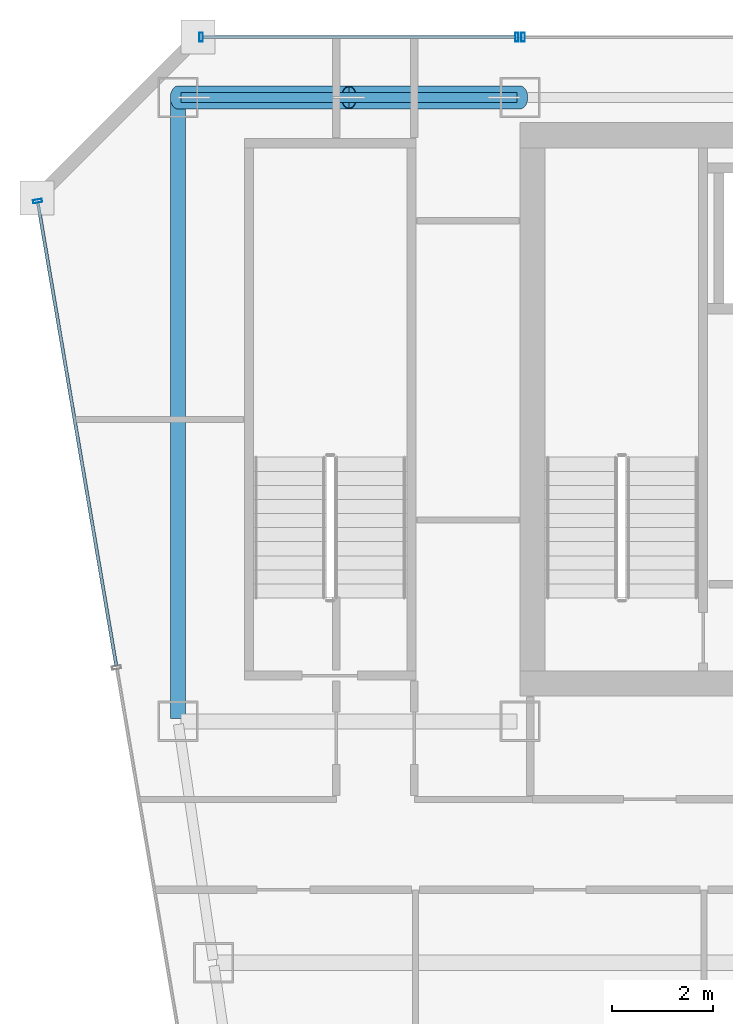
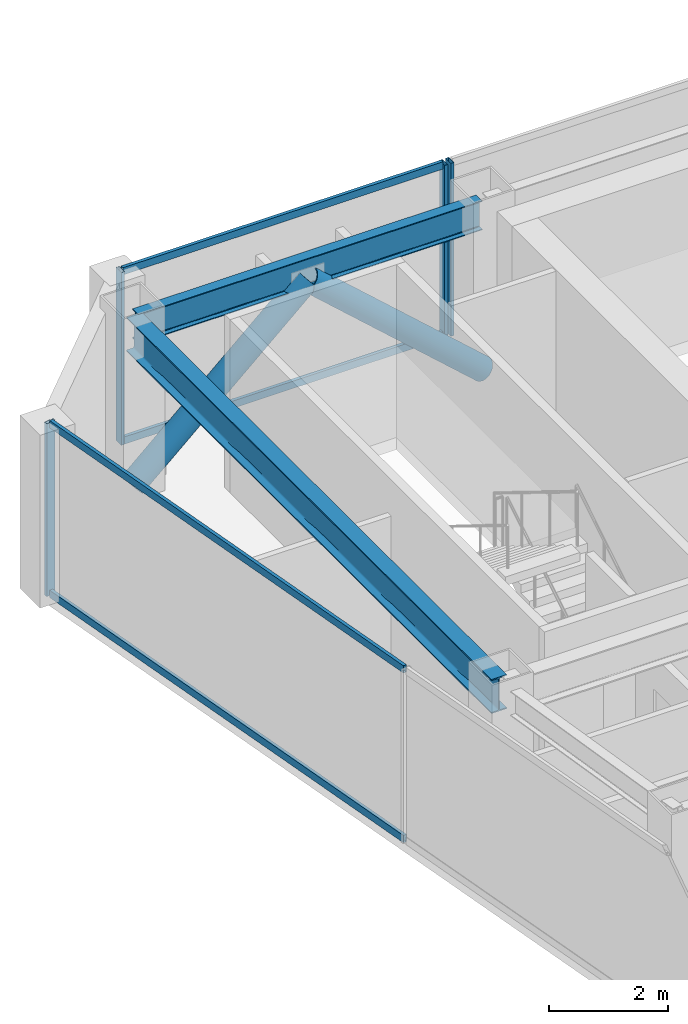
# One storey, part 23 of 36: 10 members, 2 beams, 3 elements without a shape of their own.
"""IFC4 building model written with IfcOpenShell, lengths in metres."""

from ifc_helpers import new_model, si_unit, direction, frame, origin, origin_2d, place, context, subcontext, project, spatial, hollow_rectangle, hollow_circle, i_section, extrude, material, material_profile, profile_set, type_object, element, aggregate, save


model = new_model("IFC4")

# Units and contexts
model_context = context("Model", 3, precision=1e-05, world=origin(), true_north=direction((0.0, 1.0)))
body_context = subcontext(model_context, "Body", "Model", "MODEL_VIEW")
ifc_project = project(units=[si_unit("LENGTHUNIT", "METRE"), si_unit("AREAUNIT", "SQUARE_METRE"), si_unit("VOLUMEUNIT", "CUBIC_METRE"), si_unit("PLANEANGLEUNIT", "RADIAN"), si_unit("MASSUNIT", "GRAM", prefix="KILO")], contexts=[model_context])

# Site, building, storey
site_placement = place(None, origin())
site = spatial("IfcSite", under=ifc_project, at=site_placement, CompositionType="ELEMENT")
building_placement = place(site_placement, origin())
building = spatial("IfcBuilding", under=site, at=building_placement, Name="Saevonmaru Cultural Tower", CompositionType="ELEMENT")
storey_placement = place(building_placement, frame((0.0, 0.0, 201.800048828125)))
storey = spatial("IfcBuildingStorey", under=building, at=storey_placement, Name="L46", CompositionType="ELEMENT", Elevation=201.800048828125)

# Beams
ifc_material_1 = material(Name="Steel SM355", Category="steel")
ifc_material_profile_1 = material_profile(ifc_material_1, i_section(OverallWidth=0.300048828125, OverallDepth=0.699951171875, WebThickness=0.012939453125, FlangeThickness=0.02392578125, FilletRadius=0.02587890625, at=origin_2d()), Name="H-700x300x13x24")
ifc_profile_set_1 = profile_set([ifc_material_profile_1], Name="Steel SM355")
beam_type_1 = type_object("IfcBeamType", Name="BM-G-H700", PredefinedType="BEAM", material=ifc_profile_set_1)
beam_1_placement = place(storey_placement, frame((6.800048828125, 54.739990234375, 3.199951171875), z_axis=(0.0, -1.0, 0.0), x_axis=(1.0, 0.0, 0.0)))
element("IfcBeam", 1, at=beam_1_placement, inside=storey, type_object=beam_type_1, Name="L46 Spine Transverse Girder W", PredefinedType="BEAM", context=body_context, shape_type="SweptSolid", body=[
    extrude(i_section(OverallWidth=0.300048828125, OverallDepth=0.699951171875, WebThickness=0.012939453125, FlangeThickness=0.02392578125, FilletRadius=0.02587890625, at=origin_2d()), origin(), (0.0, 0.0, 1.0), 12.280029296875),
])
ifc_material_profile_2 = material_profile(ifc_material_1, i_section(OverallWidth=0.199951171875, OverallDepth=0.60009765625, WebThickness=0.010986328125, FlangeThickness=0.01708984375, FilletRadius=0.02197265625, at=origin_2d()), Name="H-600x200x11x17")
ifc_profile_set_2 = profile_set([ifc_material_profile_2], Name="Steel SM355")
beam_type_2 = type_object("IfcBeamType", Name="BM-SP-H600", PredefinedType="SPANDREL", material=ifc_profile_set_2)
beam_2_placement = place(storey_placement, frame((6.860107421875, 54.800048828125, 3.25), z_axis=(1.0, 0.0, 0.0), x_axis=(0.0, 1.0, 0.0)))
element("IfcBeam", 2, at=beam_2_placement, inside=storey, type_object=beam_type_2, Name="L46 North Spine Girder 1", PredefinedType="SPANDREL", context=body_context, shape_type="SweptSolid", body=[
    extrude(i_section(OverallWidth=0.199951171875, OverallDepth=0.60009765625, WebThickness=0.010986328125, FlangeThickness=0.01708984375, FilletRadius=0.02197265625, at=origin_2d()), origin(), (0.0, 0.0, 1.0), 6.679931640625),
])

# Members
ifc_material_2 = material(Name="Steel SM420", Category="steel")
ifc_material_profile_3 = material_profile(ifc_material_2, hollow_circle(Radius=0.228515625, WallThickness=0.02001953125, at=origin_2d()), Name="CHS-457.2x20")
ifc_profile_set_3 = profile_set([ifc_material_profile_3], Name="Steel SM420")
member_type_1 = type_object("IfcMemberType", Name="MB-PBR-CHS457", PredefinedType="BRACE", material=ifc_profile_set_3)
for number, where, z_axis, x_axis, name in (
    (3, (6.800048828125, 54.800048828125, 0.02001953125), (0.744366945704, 0.0, 0.667770806597), (0.0, 1.0, 0.0), "L46 Perimeter Braced-Tube Diagonal WN1"),
    (4, (13.60009765625, 54.800048828125, 0.02001953125), (-0.744390779303, 0.0, 0.66774423823), (0.0, -1.0, 0.0), "L46 Perimeter Braced-Tube Diagonal WN2"),
):
    element("IfcMember", number, at=place(storey_placement, frame(where, z_axis=z_axis, x_axis=x_axis)), inside=storey, type_object=member_type_1, Name=name, PredefinedType="BRACE", context=body_context, shape_type="SweptSolid", body=[
        extrude(hollow_circle(Radius=0.228515625, WallThickness=0.02001953125, at=origin_2d()), origin(), (0.0, 0.0, 1.0), 4.567626953125),
    ])

# Curtain wall, member
ifc_material_3 = material(Name="Satin Bronze Anodised Aluminium", Category="aluminium")
curtain_wall_type = type_object("IfcCurtainWallType", Name="CW-TYP-B", PredefinedType="NOTDEFINED", material=ifc_material_3)
curtain_wall_1_placement = place(storey_placement, origin())
curtain_wall_1 = element("IfcCurtainWall", 5, at=curtain_wall_1_placement, inside=storey, type_object=curtain_wall_type, Name="L46 North Spine Unitised Curtain Wall E10B", PredefinedType="NOTDEFINED")
ifc_material_profile_4 = material_profile(ifc_material_3, hollow_rectangle(XDim=0.06494140625, YDim=0.179931640625, WallThickness=0.00390625, at=origin_2d()), Name="ALU-MULL-180x65x4")
ifc_profile_set_4 = profile_set([ifc_material_profile_4], Name="Satin Bronze Anodised Aluminium")
member_type_2 = type_object("IfcMemberType", Name="ML-CW-180x65", PredefinedType="MULLION", material=ifc_profile_set_4)
member_1_placement = place(storey_placement, frame((13.659912109375, 56.0, 0.0), z_axis=(0.0, 0.0, 1.0), x_axis=(-1.0, 0.0, 0.0)))
member_1 = element("IfcMember", 6, at=member_1_placement, type_object=member_type_2, Name="CW-TW-L46-E10B mullion 4", PredefinedType="MULLION", context=body_context, shape_type="SweptSolid", body=[
    extrude(hollow_rectangle(XDim=0.06494140625, YDim=0.179931640625, WallThickness=0.00390625, at=origin_2d()), origin(), (0.0, 0.0, 1.0), 3.550048828125),
])
aggregate(curtain_wall_1, [member_1])

# Curtain wall, members
curtain_wall_2_placement = place(storey_placement, origin())
curtain_wall_2 = element("IfcCurtainWall", 7, at=curtain_wall_2_placement, inside=storey, type_object=curtain_wall_type, Name="L46 West Braced Bay Spandrel Curtain Wall E10C", PredefinedType="NOTDEFINED")
member_2_placement = place(storey_placement, frame((13.5400390625, 56.0, 0.0), z_axis=(0.0, 0.0, 1.0), x_axis=(-1.0, 0.0, 0.0)))
member_2 = element("IfcMember", 8, at=member_2_placement, type_object=member_type_2, Name="CW-TW-L46-E10C mullion 1", PredefinedType="MULLION", context=body_context, shape_type="SweptSolid", body=[
    extrude(hollow_rectangle(XDim=0.06494140625, YDim=0.179931640625, WallThickness=0.00390625, at=origin_2d()), origin(), (0.0, 0.0, 1.0), 3.550048828125),
])
member_3_placement = place(storey_placement, frame((7.260009765625, 56.0, 0.0), z_axis=(0.0, 0.0, 1.0), x_axis=(-1.0, 0.0, 0.0)))
member_3 = element("IfcMember", 9, at=member_3_placement, type_object=member_type_2, Name="CW-TW-L46-E10C mullion 2", PredefinedType="MULLION", context=body_context, shape_type="SweptSolid", body=[
    extrude(hollow_rectangle(XDim=0.06494140625, YDim=0.179931640625, WallThickness=0.00390625, at=origin_2d()), origin(), (0.0, 0.0, 1.0), 3.550048828125),
])

# Curtain wall, member
curtain_wall_3_placement = place(storey_placement, origin())
curtain_wall_3 = element("IfcCurtainWall", 10, at=curtain_wall_3_placement, inside=storey, type_object=curtain_wall_type, Name="L46 Unitised Curtain Wall E12", PredefinedType="NOTDEFINED")
member_4_placement = place(storey_placement, frame((4.010009765625, 52.74072265625, 0.0), z_axis=(0.0, 0.0, 1.0), x_axis=(0.16692169721, -0.985970155228, 0.0)))
member_4 = element("IfcMember", 11, at=member_4_placement, type_object=member_type_2, Name="CW-TW-L46-E12 mullion 1", PredefinedType="MULLION", context=body_context, shape_type="SweptSolid", body=[
    extrude(hollow_rectangle(XDim=0.06494140625, YDim=0.179931640625, WallThickness=0.00390625, at=origin_2d()), origin(), (0.0, 0.0, 1.0), 3.550048828125),
])

# Member
ifc_material_profile_5 = material_profile(ifc_material_3, hollow_rectangle(XDim=0.06494140625, YDim=0.14990234375, WallThickness=0.00390625, at=origin_2d()), Name="ALU-TRAN-150x65x4")
ifc_profile_set_5 = profile_set([ifc_material_profile_5], Name="Satin Bronze Anodised Aluminium")
member_type_3 = type_object("IfcMemberType", Name="TR-CW-150x65", PredefinedType="USERDEFINED", material=ifc_profile_set_5)
member_5_placement = place(storey_placement, frame((13.507568359375, 56.0, 0.032470703125), z_axis=(-1.0, 0.0, 0.0), x_axis=(0.0, -1.0, 0.0)))
member_5 = element("IfcMember", 12, at=member_5_placement, type_object=member_type_3, Name="CW-TW-L46-E10C transom 1.1", ObjectType="TRANSOM", PredefinedType="USERDEFINED", context=body_context, shape_type="SweptSolid", body=[
    extrude(hollow_rectangle(XDim=0.06494140625, YDim=0.14990234375, WallThickness=0.00390625, at=origin_2d()), origin(), (0.0, 0.0, 1.0), 6.215087890625),
])

member_6_placement = place(storey_placement, frame((13.507568359375, 56.0, 3.517333984375), z_axis=(-1.0, 0.0, 0.0), x_axis=(0.0, -1.0, 0.0)))
member_6 = element("IfcMember", 13, at=member_6_placement, type_object=member_type_3, Name="CW-TW-L46-E10C transom 1.2", ObjectType="TRANSOM", PredefinedType="USERDEFINED", context=body_context, shape_type="SweptSolid", body=[
    extrude(hollow_rectangle(XDim=0.06494140625, YDim=0.14990234375, WallThickness=0.00390625, at=origin_2d()), origin(), (0.0, 0.0, 1.0), 6.215087890625),
])

aggregate(curtain_wall_2, [member_2, member_3, member_5, member_6])

member_7_placement = place(storey_placement, frame((4.015380859375, 52.708740234375, 0.032470703125), z_axis=(0.166921263871, -0.985970228591, 0.0), x_axis=(0.985970228591, 0.166921263871, 0.0)))
member_7 = element("IfcMember", 14, at=member_7_placement, type_object=member_type_3, Name="CW-TW-L46-E12 transom 1.1", ObjectType="TRANSOM", PredefinedType="USERDEFINED", context=body_context, shape_type="SweptSolid", body=[
    extrude(hollow_rectangle(XDim=0.06494140625, YDim=0.14990234375, WallThickness=0.00390625, at=origin_2d()), origin(), (0.0, 0.0, 1.0), 9.33740234375),
])

member_8_placement = place(storey_placement, frame((4.015380859375, 52.708740234375, 3.517333984375), z_axis=(0.166921263871, -0.985970228591, 0.0), x_axis=(0.985970228591, 0.166921263871, 0.0)))
member_8 = element("IfcMember", 15, at=member_8_placement, type_object=member_type_3, Name="CW-TW-L46-E12 transom 1.2", ObjectType="TRANSOM", PredefinedType="USERDEFINED", context=body_context, shape_type="SweptSolid", body=[
    extrude(hollow_rectangle(XDim=0.06494140625, YDim=0.14990234375, WallThickness=0.00390625, at=origin_2d()), origin(), (0.0, 0.0, 1.0), 9.33740234375),
])

aggregate(curtain_wall_3, [member_4, member_7, member_8])

save(model, "model.ifc")
